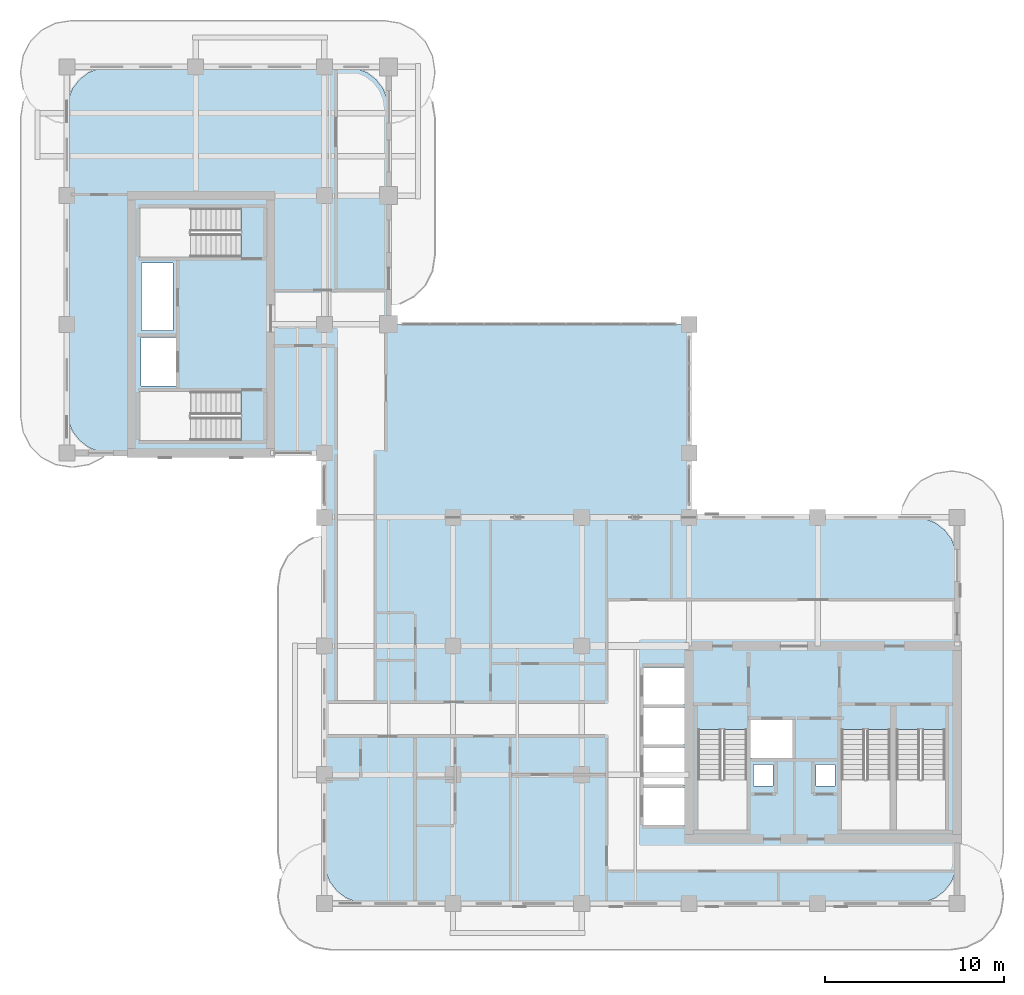
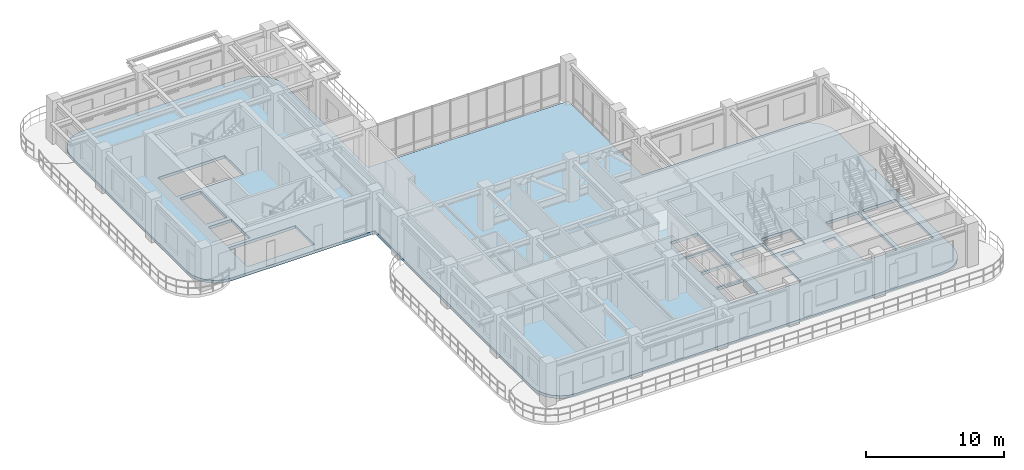
# One storey, part 7 of 19: 1 slab.
"""IFC4 building model written with IfcOpenShell, lengths in metres."""

from ifc_helpers import new_model, si_unit, derived_unit, direction, frame, origin, place, context, subcontext, project, spatial, polyline, outline, extrude, material, layer, layer_set, type_object, element, save


model = new_model("IFC4")

# Units and contexts
model_context = context("Model", 3, precision=1e-05, world=origin(), true_north=direction((0.0, 1.0)))
body_context = subcontext(model_context, "Body", "Model", "MODEL_VIEW")
ifc_project = project(units=[si_unit("LENGTHUNIT", "METRE"), si_unit("AREAUNIT", "SQUARE_METRE"), si_unit("VOLUMEUNIT", "CUBIC_METRE"), si_unit("PLANEANGLEUNIT", "RADIAN"), si_unit("MASSUNIT", "GRAM", prefix="KILO"), si_unit("THERMODYNAMICTEMPERATUREUNIT", "KELVIN"), si_unit("POWERUNIT", "WATT"), derived_unit("THERMALTRANSMITTANCEUNIT", [(si_unit("POWERUNIT", "WATT"), 1), (si_unit("AREAUNIT", "SQUARE_METRE"), -1), (si_unit("THERMODYNAMICTEMPERATUREUNIT", "KELVIN"), -1)])], contexts=[model_context])

# Site, building, storey
site_placement = place(None, origin())
site = spatial("IfcSite", under=ifc_project, at=site_placement, CompositionType="ELEMENT")
building_placement = place(site_placement, origin())
building = spatial("IfcBuilding", under=site, at=building_placement, Name="Zahravan Archway Hotel and Residences", CompositionType="ELEMENT")
storey_placement = place(building_placement, frame((0.0, 0.0, 201.89990234375)))
storey = spatial("IfcBuildingStorey", under=building, at=storey_placement, Name="L50", CompositionType="ELEMENT", Elevation=201.89990234375)

# Slab
ifc_material = material(Name="Concrete C45/55", Category="concrete")
ifc_layer = layer(ifc_material, 0.25, Name="Concrete C45/55", Category="concrete")
ifc_layer_set = layer_set([ifc_layer], Name="Concrete C45/55")
slab_type = type_object("IfcSlabType", Name="SLB-FLR-250", PredefinedType="FLOOR", material=ifc_layer_set)
slab_placement = place(storey_placement, frame((0.0, 0.0, -0.25)))
element("IfcSlab", 1, at=slab_placement, inside=storey, type_object=slab_type, Name="L50 Floor Slab LB", PredefinedType="FLOOR", context=body_context, shape_type="SweptSolid", body=[
    extrude(outline(polyline([(34.800048828125, 21.60009765625), (34.800048828125, 32.39990234375), (18.0, 32.39990234375), (18.0, 44.39990234375), (17.918212890625, 45.021240234375), (17.678466796875, 45.60009765625), (17.297119140625, 46.09716796875), (16.800048828125, 46.478515625), (16.22119140625, 46.71826171875), (15.60009765625, 46.800048828125), (2.39990234375, 46.800048828125), (1.77880859375, 46.71826171875), (1.199951171875, 46.478515625), (0.702880859375, 46.09716796875), (0.321533203125, 45.60009765625), (0.081787109375, 45.021240234375), (0.0, 44.39990234375), (0.0, 27.60009765625), (0.081787109375, 26.978759765625), (0.321533203125, 26.39990234375), (0.702880859375, 25.90283203125), (1.199951171875, 25.521484375), (1.77880859375, 25.28173828125), (2.39990234375, 25.199951171875), (14.39990234375, 25.199951171875), (14.39990234375, 19.199951171875), (14.39990234375, 19.10009765625), (14.39990234375, 2.39990234375), (14.481689453125, 1.77880859375), (14.721435546875, 1.199951171875), (15.102783203125, 0.702880859375), (15.60009765625, 0.321533203125), (16.1787109375, 0.081787109375), (16.800048828125, 0.0), (47.39990234375, 0.0), (48.021240234375, 0.081787109375), (48.60009765625, 0.321533203125), (49.09716796875, 0.702880859375), (49.478515625, 1.199951171875), (49.71826171875, 1.77880859375), (49.800048828125, 2.39990234375), (49.800048828125, 19.199951171875), (49.71826171875, 19.8212890625), (49.478515625, 20.39990234375), (49.09716796875, 20.897216796875), (48.60009765625, 21.278564453125), (48.021240234375, 21.518310546875), (47.39990234375, 21.60009765625), (34.800048828125, 21.60009765625)]), holes=[polyline([(35.300048828125, 9.72998046875), (35.300048828125, 4.10009765625), (38.0400390625, 4.10009765625), (38.0400390625, 9.72998046875), (35.300048828125, 9.72998046875)]), polyline([(43.320068359375, 9.72998046875), (43.320068359375, 4.10009765625), (46.06005859375, 4.10009765625), (46.06005859375, 9.72998046875), (43.320068359375, 9.72998046875)]), polyline([(46.39990234375, 9.72998046875), (46.39990234375, 4.10009765625), (49.139892578125, 4.10009765625), (49.139892578125, 9.72998046875), (46.39990234375, 9.72998046875)]), polyline([(9.72998046875, 28.639892578125), (4.10009765625, 28.639892578125), (4.10009765625, 25.89990234375), (9.72998046875, 25.89990234375), (9.72998046875, 28.639892578125)]), polyline([(9.72998046875, 38.89990234375), (4.10009765625, 38.89990234375), (4.10009765625, 36.159912109375), (9.72998046875, 36.159912109375), (9.72998046875, 38.89990234375)]), polyline([(38.179931640625, 8.14990234375), (40.699951171875, 8.14990234375), (40.699951171875, 10.25), (38.179931640625, 10.25), (38.179931640625, 8.14990234375)]), polyline([(4.14990234375, 28.949951171875), (6.10009765625, 28.949951171875), (6.10009765625, 31.64990234375), (4.14990234375, 31.64990234375), (4.14990234375, 28.949951171875)]), polyline([(32.25, 4.39990234375), (34.550048828125, 4.39990234375), (34.550048828125, 6.47998046875), (32.25, 6.47998046875), (32.25, 4.39990234375)]), polyline([(32.25, 6.639892578125), (34.550048828125, 6.639892578125), (34.550048828125, 8.719970703125), (32.25, 8.719970703125), (32.25, 6.639892578125)]), polyline([(32.25, 8.8798828125), (34.550048828125, 8.8798828125), (34.550048828125, 10.9599609375), (32.25, 10.9599609375), (32.25, 8.8798828125)]), polyline([(32.25, 11.1201171875), (34.550048828125, 11.1201171875), (34.550048828125, 13.199951171875), (32.25, 13.199951171875), (32.25, 11.1201171875)]), polyline([(38.419921875, 6.56005859375), (39.5, 6.56005859375), (39.5, 7.780029296875), (38.419921875, 7.780029296875), (38.419921875, 6.56005859375)]), polyline([(41.89990234375, 6.56005859375), (42.9599609375, 6.56005859375), (42.9599609375, 7.780029296875), (41.89990234375, 7.780029296875), (41.89990234375, 6.56005859375)]), polyline([(4.179931640625, 32.050048828125), (5.93994140625, 32.050048828125), (5.93994140625, 35.840087890625), (4.179931640625, 35.840087890625), (4.179931640625, 32.050048828125)])]), origin(), (0.0, 0.0, 1.0), 0.25),
])

save(model, "model.ifc")
